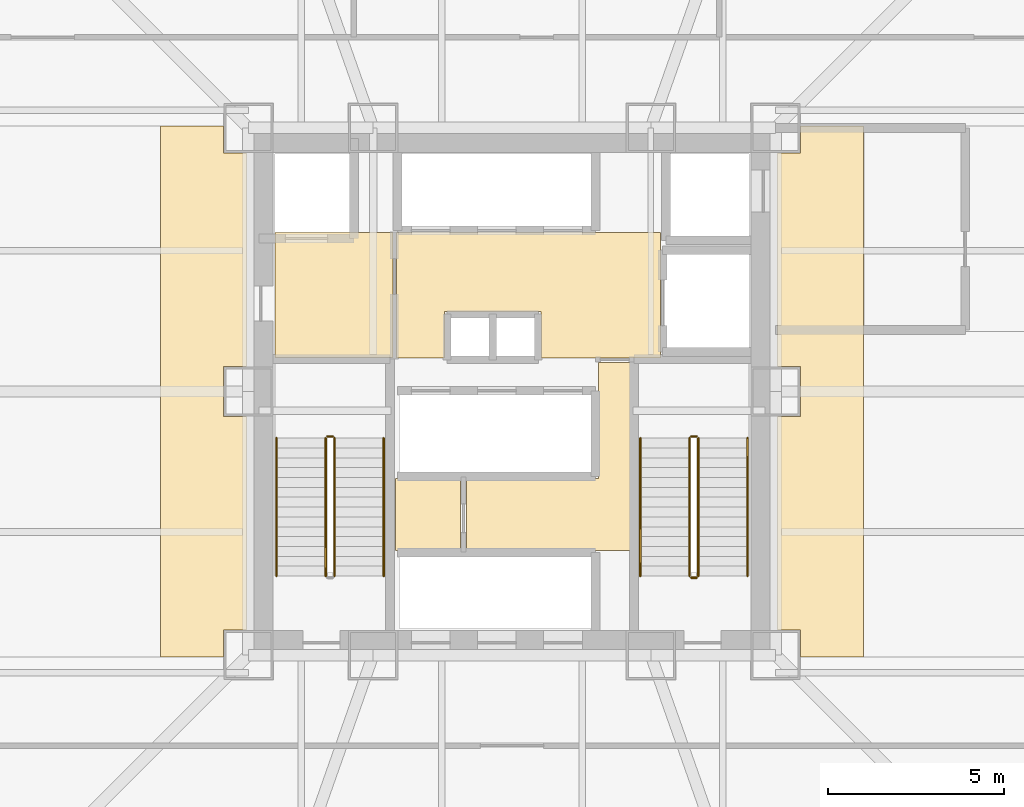
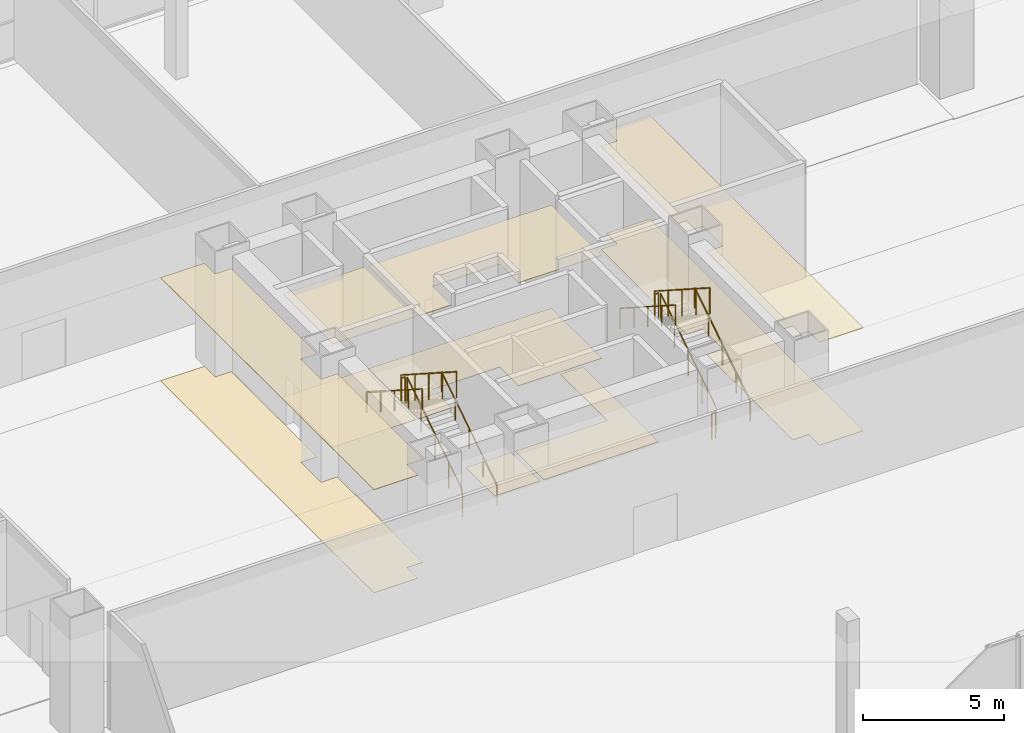
# One storey, part 29 of 36: 11 railings, 10 coverings.
"""IFC4 building model written with IfcOpenShell, lengths in metres."""

from ifc_helpers import new_model, si_unit, direction, frame, origin, origin_2d, place, context, subcontext, project, spatial, polyline, circle, outline, extrude, material, layer, layer_set, type_object, element, save


model = new_model("IFC4")

# Units and contexts
model_context = context("Model", 3, precision=1e-05, world=origin(), true_north=direction((0.0, 1.0)))
body_context = subcontext(model_context, "Body", "Model", "MODEL_VIEW")
ifc_project = project(units=[si_unit("LENGTHUNIT", "METRE"), si_unit("AREAUNIT", "SQUARE_METRE"), si_unit("VOLUMEUNIT", "CUBIC_METRE"), si_unit("PLANEANGLEUNIT", "RADIAN"), si_unit("MASSUNIT", "GRAM", prefix="KILO")], contexts=[model_context])

# Site, building, storey
site_placement = place(None, origin())
site = spatial("IfcSite", under=ifc_project, at=site_placement, CompositionType="ELEMENT")
building_placement = place(site_placement, origin())
building = spatial("IfcBuilding", under=site, at=building_placement, Name="Trevonay Congress Spire", CompositionType="ELEMENT")
storey_placement = place(building_placement, frame((0.0, 0.0, 5.39990234375)))
storey = spatial("IfcBuildingStorey", under=building, at=storey_placement, Name="L01", CompositionType="ELEMENT", Elevation=5.39990234375)

# Coverings
ifc_material_1 = material(Name="Acoustic Mineral Fibre Board", Category="gypsum")
ifc_layer_1 = layer(ifc_material_1, 0.02490234375, Name="Acoustic Mineral Fibre Board")
ifc_layer_set_1 = layer_set([ifc_layer_1], Name="Acoustic Mineral Fibre Board")
covering_type_1 = type_object("IfcCoveringType", Name="COV-CEIL-ACOUSTIC", PredefinedType="CEILING", material=ifc_layer_set_1)
covering_1_placement = place(storey_placement, frame((0.0, 0.0, 4.4501953125)))
element("IfcCovering", 1, at=covering_1_placement, inside=storey, type_object=covering_type_1, Name="L01 Firefighting Lift Lobby West acoustic suspended ceiling", PredefinedType="CEILING", context=body_context, shape_type="SweptSolid", body=[
    extrude(outline(polyline([(-6.75, 0.9599609375), (-3.3798828125, 0.9599609375), (-3.3798828125, 4.52001953125), (-6.75, 4.52001953125), (-6.75, 0.9599609375)])), origin(), (0.0, 0.0, 1.0), 0.02490234375),
])
covering_2_placement = place(storey_placement, frame((0.0, 0.0, 4.4501953125)))
element("IfcCovering", 2, at=covering_2_placement, inside=storey, type_object=covering_type_1, Name="L01 Central and High-Rise Passenger Lift Lobby acoustic suspended ceiling", PredefinedType="CEILING", context=body_context, shape_type="SweptSolid", body=[
    extrude(outline(polyline([(-3.280029296875, 0.949951171875), (-1.919921875, 0.949951171875), (-1.919921875, 2.280029296875), (0.820068359375, 2.280029296875), (0.820068359375, 0.949951171875), (4.219970703125, 0.949951171875), (4.219970703125, 4.52001953125), (-3.280029296875, 4.52001953125), (-3.280029296875, 0.949951171875)])), origin(), (0.0, 0.0, 1.0), 0.02490234375),
])
covering_3_placement = place(storey_placement, frame((0.0, 0.0, 4.4501953125)))
element("IfcCovering", 3, at=covering_3_placement, inside=storey, type_object=covering_type_1, Name="L01 L01 Grand Concourse West acoustic suspended ceiling", PredefinedType="CEILING", context=body_context, shape_type="SweptSolid", body=[
    extrude(outline(polyline([(-10.0, 7.550048828125), (-8.2099609375, 7.550048828125), (-8.2099609375, 6.7900390625), (-7.550048828125, 6.7900390625), (-7.550048828125, 0.7099609375), (-8.2099609375, 0.7099609375), (-8.2099609375, -0.7099609375), (-7.550048828125, -0.7099609375), (-7.550048828125, -6.7900390625), (-8.2099609375, -6.7900390625), (-8.2099609375, -7.550048828125), (-10.0, -7.550048828125), (-10.0, 7.550048828125)])), origin(), (0.0, 0.0, 1.0), 0.02490234375),
])
covering_4_placement = place(storey_placement, frame((0.0, 0.0, 4.4501953125)))
element("IfcCovering", 4, at=covering_4_placement, inside=storey, type_object=covering_type_1, Name="L01 L01 Grand Concourse East acoustic suspended ceiling", PredefinedType="CEILING", context=body_context, shape_type="SweptSolid", body=[
    extrude(outline(polyline([(10.0, -7.550048828125), (8.2099609375, -7.550048828125), (8.2099609375, -6.7900390625), (7.550048828125, -6.7900390625), (7.550048828125, -0.7099609375), (8.2099609375, -0.7099609375), (8.2099609375, 0.7099609375), (7.550048828125, 0.7099609375), (7.550048828125, 6.7900390625), (8.2099609375, 6.7900390625), (8.2099609375, 7.550048828125), (10.0, 7.550048828125), (10.0, -7.550048828125)])), origin(), (0.0, 0.0, 1.0), 0.02490234375),
])
ifc_material_2 = material(Name="Polished Granite Floor Tile", Category="masonry")
ifc_layer_2 = layer(ifc_material_2, 0.02001953125, Name="Polished Granite Floor Tile")
ifc_layer_set_2 = layer_set([ifc_layer_2], Name="Polished Granite Floor Tile")
covering_type_2 = type_object("IfcCoveringType", Name="COV-FLOOR-STONE", PredefinedType="FLOORING", material=ifc_layer_set_2)
covering_5_placement = place(storey_placement, origin())
element("IfcCovering", 5, at=covering_5_placement, inside=storey, type_object=covering_type_2, Name="L01 Firefighting Lift Lobby West floor finish", PredefinedType="FLOORING", context=body_context, shape_type="SweptSolid", body=[
    extrude(outline(polyline([(-6.75, 0.9599609375), (-3.3798828125, 0.9599609375), (-3.3798828125, 4.52001953125), (-6.75, 4.52001953125), (-6.75, 0.9599609375)])), origin(), (0.0, 0.0, 1.0), 0.02001953125),
])
covering_6_placement = place(storey_placement, origin())
element("IfcCovering", 6, at=covering_6_placement, inside=storey, type_object=covering_type_2, Name="L01 Central and High-Rise Passenger Lift Lobby floor finish", PredefinedType="FLOORING", context=body_context, shape_type="SweptSolid", body=[
    extrude(outline(polyline([(-3.280029296875, 0.949951171875), (-1.919921875, 0.949951171875), (-1.919921875, 2.280029296875), (0.820068359375, 2.280029296875), (0.820068359375, 0.949951171875), (4.219970703125, 0.949951171875), (4.219970703125, 4.52001953125), (-3.280029296875, 4.52001953125), (-3.280029296875, 0.949951171875)])), origin(), (0.0, 0.0, 1.0), 0.02001953125),
])
covering_7_placement = place(storey_placement, origin())
element("IfcCovering", 7, at=covering_7_placement, inside=storey, type_object=covering_type_2, Name="L01 Smoke Control Damper Room floor finish", PredefinedType="FLOORING", context=body_context, shape_type="SweptSolid", body=[
    extrude(outline(polyline([(-1.300048828125, -4.52001953125), (3.3798828125, -4.52001953125), (3.3798828125, 0.820068359375), (2.4599609375, 0.820068359375), (2.4599609375, -2.47998046875), (-1.300048828125, -2.47998046875), (-1.300048828125, -4.52001953125)])), origin(), (0.0, 0.0, 1.0), 0.02001953125),
])
covering_8_placement = place(storey_placement, origin())
element("IfcCovering", 8, at=covering_8_placement, inside=storey, type_object=covering_type_2, Name="L01 Fire Hose and Valve Room floor finish", PredefinedType="FLOORING", context=body_context, shape_type="SweptSolid", body=[
    extrude(outline(polyline([(-3.320068359375, -4.52001953125), (-1.4599609375, -4.52001953125), (-1.4599609375, -2.47998046875), (-3.320068359375, -2.47998046875), (-3.320068359375, -4.52001953125)])), origin(), (0.0, 0.0, 1.0), 0.02001953125),
])
covering_9_placement = place(storey_placement, origin())
element("IfcCovering", 9, at=covering_9_placement, inside=storey, type_object=covering_type_2, Name="L01 L01 Grand Concourse West floor finish", PredefinedType="FLOORING", context=body_context, shape_type="SweptSolid", body=[
    extrude(outline(polyline([(-10.0, 7.550048828125), (-8.2099609375, 7.550048828125), (-8.2099609375, 6.7900390625), (-7.550048828125, 6.7900390625), (-7.550048828125, 0.7099609375), (-8.2099609375, 0.7099609375), (-8.2099609375, -0.7099609375), (-7.550048828125, -0.7099609375), (-7.550048828125, -6.7900390625), (-8.2099609375, -6.7900390625), (-8.2099609375, -7.550048828125), (-10.0, -7.550048828125), (-10.0, 7.550048828125)])), origin(), (0.0, 0.0, 1.0), 0.02001953125),
])
covering_10_placement = place(storey_placement, origin())
element("IfcCovering", 10, at=covering_10_placement, inside=storey, type_object=covering_type_2, Name="L01 L01 Grand Concourse East floor finish", PredefinedType="FLOORING", context=body_context, shape_type="SweptSolid", body=[
    extrude(outline(polyline([(10.0, -7.550048828125), (8.2099609375, -7.550048828125), (8.2099609375, -6.7900390625), (7.550048828125, -6.7900390625), (7.550048828125, -0.7099609375), (8.2099609375, -0.7099609375), (8.2099609375, 0.7099609375), (7.550048828125, 0.7099609375), (7.550048828125, 6.7900390625), (8.2099609375, 6.7900390625), (8.2099609375, 7.550048828125), (10.0, 7.550048828125), (10.0, -7.550048828125)])), origin(), (0.0, 0.0, 1.0), 0.02001953125),
])

# Railings
ifc_material_3 = material(Name="Pale Anodised Aluminium EN AW-6063-T6", Category="aluminium")
railing_type_1 = type_object("IfcRailingType", Name="RAL-STAIR-GUARD-110", PredefinedType="GUARDRAIL", material=ifc_material_3)
railing_1_placement = place(storey_placement, frame((-5.050048828125, -5.25, 0.18017578125)))
element("IfcRailing", 11, at=railing_1_placement, inside=storey, type_object=railing_type_1, Name="L01 ST-1 stair guard 1", PredefinedType="GUARDRAIL", context=body_context, shape_type="SweptSolid", body=[
    extrude(circle(Radius=0.02392578125, at=origin_2d()), frame((0.0, 0.0, 1.1259765625), z_axis=(0.0, 0.841171666519, 0.540768182723), x_axis=(-1.0, 0.0, 0.0)), (0.0, 0.0, 1.0), 4.66015625),
    extrude(circle(Radius=0.02099609375, at=origin_2d()), origin(), (0.0, 0.0, 1.0), 1.101806640625),
    extrude(circle(Radius=0.02099609375, at=origin_2d()), frame((0.0, 0.97998046875, 0.6298828125)), (0.0, 0.0, 1.0), 1.101806640625),
    extrude(circle(Radius=0.02099609375, at=origin_2d()), frame((0.0, 1.9599609375, 1.260009765625)), (0.0, 0.0, 1.0), 1.101806640625),
    extrude(circle(Radius=0.02099609375, at=origin_2d()), frame((0.0, 2.93994140625, 1.89013671875)), (0.0, 0.0, 1.0), 1.101806640625),
    extrude(circle(Radius=0.02099609375, at=origin_2d()), frame((0.0, 3.919921875, 2.52001953125)), (0.0, 0.0, 1.0), 1.101806640625),
])
railing_2_placement = place(storey_placement, frame((-5.10009765625, -1.280029296875, 2.7001953125)))
element("IfcRailing", 12, at=railing_2_placement, inside=storey, type_object=railing_type_1, Name="L01 ST-1 stair guard 2", PredefinedType="GUARDRAIL", context=body_context, shape_type="SweptSolid", body=[
    extrude(circle(Radius=0.02392578125, at=origin_2d()), frame((0.0, 0.0, 1.1259765625), z_axis=(-1.0, 0.0, 0.0), x_axis=(0.0, -1.0, 0.0)), (0.0, 0.0, 1.0), 0.14990234375),
    extrude(circle(Radius=0.02099609375, at=origin_2d()), origin(), (0.0, 0.0, 1.0), 1.101806640625),
    extrude(circle(Radius=0.02099609375, at=origin_2d()), frame((-0.14990234375, 0.0, 0.0)), (0.0, 0.0, 1.0), 1.101806640625),
])
railing_3_placement = place(storey_placement, frame((-5.300048828125, -1.330078125, 2.880126953125)))
element("IfcRailing", 13, at=railing_3_placement, inside=storey, type_object=railing_type_1, Name="L01 ST-1 stair guard 3", PredefinedType="GUARDRAIL", context=body_context, shape_type="SweptSolid", body=[
    extrude(circle(Radius=0.02392578125, at=origin_2d()), frame((0.0, 0.0, 1.1259765625), z_axis=(0.0, -0.841171666519, 0.540768182723), x_axis=(1.0, 0.0, 0.0)), (0.0, 0.0, 1.0), 4.66015625),
    extrude(circle(Radius=0.02099609375, at=origin_2d()), origin(), (0.0, 0.0, 1.0), 1.101806640625),
    extrude(circle(Radius=0.02099609375, at=origin_2d()), frame((0.0, -0.97998046875, 0.6298828125)), (0.0, 0.0, 1.0), 1.101806640625),
    extrude(circle(Radius=0.02099609375, at=origin_2d()), frame((0.0, -1.9599609375, 1.260009765625)), (0.0, 0.0, 1.0), 1.101806640625),
    extrude(circle(Radius=0.02099609375, at=origin_2d()), frame((0.0, -2.93994140625, 1.89013671875)), (0.0, 0.0, 1.0), 1.101806640625),
    extrude(circle(Radius=0.02099609375, at=origin_2d()), frame((0.0, -3.919921875, 2.52001953125)), (0.0, 0.0, 1.0), 1.101806640625),
])
railing_4_placement = place(storey_placement, frame((5.300048828125, -5.25, 0.18017578125)))
element("IfcRailing", 14, at=railing_4_placement, inside=storey, type_object=railing_type_1, Name="L01 ST-2 stair guard 1", PredefinedType="GUARDRAIL", context=body_context, shape_type="SweptSolid", body=[
    extrude(circle(Radius=0.02392578125, at=origin_2d()), frame((0.0, 0.0, 1.1259765625), z_axis=(0.0, 0.841171666519, 0.540768182723), x_axis=(-1.0, 0.0, 0.0)), (0.0, 0.0, 1.0), 4.66015625),
    extrude(circle(Radius=0.02099609375, at=origin_2d()), origin(), (0.0, 0.0, 1.0), 1.101806640625),
    extrude(circle(Radius=0.02099609375, at=origin_2d()), frame((0.0, 0.97998046875, 0.6298828125)), (0.0, 0.0, 1.0), 1.101806640625),
    extrude(circle(Radius=0.02099609375, at=origin_2d()), frame((0.0, 1.9599609375, 1.260009765625)), (0.0, 0.0, 1.0), 1.101806640625),
    extrude(circle(Radius=0.02099609375, at=origin_2d()), frame((0.0, 2.93994140625, 1.89013671875)), (0.0, 0.0, 1.0), 1.101806640625),
    extrude(circle(Radius=0.02099609375, at=origin_2d()), frame((0.0, 3.919921875, 2.52001953125)), (0.0, 0.0, 1.0), 1.101806640625),
])
railing_5_placement = place(storey_placement, frame((5.25, -1.280029296875, 2.7001953125)))
element("IfcRailing", 15, at=railing_5_placement, inside=storey, type_object=railing_type_1, Name="L01 ST-2 stair guard 2", PredefinedType="GUARDRAIL", context=body_context, shape_type="SweptSolid", body=[
    extrude(circle(Radius=0.02392578125, at=origin_2d()), frame((0.0, 0.0, 1.1259765625), z_axis=(-1.0, 0.0, 0.0), x_axis=(0.0, -1.0, 0.0)), (0.0, 0.0, 1.0), 0.14990234375),
    extrude(circle(Radius=0.02099609375, at=origin_2d()), origin(), (0.0, 0.0, 1.0), 1.101806640625),
    extrude(circle(Radius=0.02099609375, at=origin_2d()), frame((-0.14990234375, 0.0, 0.0)), (0.0, 0.0, 1.0), 1.101806640625),
])
railing_6_placement = place(storey_placement, frame((5.050048828125, -1.330078125, 2.880126953125)))
element("IfcRailing", 16, at=railing_6_placement, inside=storey, type_object=railing_type_1, Name="L01 ST-2 stair guard 3", PredefinedType="GUARDRAIL", context=body_context, shape_type="SweptSolid", body=[
    extrude(circle(Radius=0.02392578125, at=origin_2d()), frame((0.0, 0.0, 1.1259765625), z_axis=(0.0, -0.841171666519, 0.540768182723), x_axis=(1.0, 0.0, 0.0)), (0.0, 0.0, 1.0), 4.66015625),
    extrude(circle(Radius=0.02099609375, at=origin_2d()), origin(), (0.0, 0.0, 1.0), 1.101806640625),
    extrude(circle(Radius=0.02099609375, at=origin_2d()), frame((0.0, -0.97998046875, 0.6298828125)), (0.0, 0.0, 1.0), 1.101806640625),
    extrude(circle(Radius=0.02099609375, at=origin_2d()), frame((0.0, -1.9599609375, 1.260009765625)), (0.0, 0.0, 1.0), 1.101806640625),
    extrude(circle(Radius=0.02099609375, at=origin_2d()), frame((0.0, -2.93994140625, 1.89013671875)), (0.0, 0.0, 1.0), 1.101806640625),
    extrude(circle(Radius=0.02099609375, at=origin_2d()), frame((0.0, -3.919921875, 2.52001953125)), (0.0, 0.0, 1.0), 1.101806640625),
])
railing_7_placement = place(storey_placement, frame((5.25, -5.300048828125, 0.0)))
element("IfcRailing", 17, at=railing_7_placement, inside=storey, type_object=railing_type_1, Name="L01 ST-2 stair guard 4", PredefinedType="GUARDRAIL", context=body_context, shape_type="SweptSolid", body=[
    extrude(circle(Radius=0.02392578125, at=origin_2d()), frame((0.0, 0.0, 1.1259765625), z_axis=(-1.0, 0.0, 0.0), x_axis=(0.0, -1.0, 0.0)), (0.0, 0.0, 1.0), 0.14990234375),
    extrude(circle(Radius=0.02099609375, at=origin_2d()), origin(), (0.0, 0.0, 1.0), 1.101806640625),
    extrude(circle(Radius=0.02099609375, at=origin_2d()), frame((-0.14990234375, 0.0, 0.0)), (0.0, 0.0, 1.0), 1.101806640625),
])
railing_type_2 = type_object("IfcRailingType", Name="RAL-STAIR-HANDRAIL", PredefinedType="HANDRAIL", material=ifc_material_3)
railing_8_placement = place(storey_placement, frame((-3.64990234375, -5.25, 0.18017578125)))
element("IfcRailing", 18, at=railing_8_placement, inside=storey, type_object=railing_type_2, Name="L01 ST-1 stair handrail 1", PredefinedType="HANDRAIL", context=body_context, shape_type="SweptSolid", body=[
    extrude(circle(Radius=0.02392578125, at=origin_2d()), frame((0.0, 0.0, 0.8759765625), z_axis=(0.0, 0.841171666519, 0.540768182723), x_axis=(-1.0, 0.0, 0.0)), (0.0, 0.0, 1.0), 4.66015625),
    extrude(circle(Radius=0.02099609375, at=origin_2d()), origin(), (0.0, 0.0, 1.0), 0.851806640625),
    extrude(circle(Radius=0.02099609375, at=origin_2d()), frame((0.0, 0.97998046875, 0.6298828125)), (0.0, 0.0, 1.0), 0.851806640625),
    extrude(circle(Radius=0.02099609375, at=origin_2d()), frame((0.0, 1.9599609375, 1.260009765625)), (0.0, 0.0, 1.0), 0.851806640625),
    extrude(circle(Radius=0.02099609375, at=origin_2d()), frame((0.0, 2.93994140625, 1.89013671875)), (0.0, 0.0, 1.0), 0.851806640625),
    extrude(circle(Radius=0.02099609375, at=origin_2d()), frame((0.0, 3.919921875, 2.52001953125)), (0.0, 0.0, 1.0), 0.851806640625),
])
railing_9_placement = place(storey_placement, frame((-6.699951171875, -1.330078125, 2.880126953125)))
element("IfcRailing", 19, at=railing_9_placement, inside=storey, type_object=railing_type_2, Name="L01 ST-1 stair handrail 2", PredefinedType="HANDRAIL", context=body_context, shape_type="SweptSolid", body=[
    extrude(circle(Radius=0.02392578125, at=origin_2d()), frame((0.0, 0.0, 0.8759765625), z_axis=(0.0, -0.841171666519, 0.540768182723), x_axis=(1.0, 0.0, 0.0)), (0.0, 0.0, 1.0), 4.66015625),
    extrude(circle(Radius=0.02099609375, at=origin_2d()), origin(), (0.0, 0.0, 1.0), 0.851806640625),
    extrude(circle(Radius=0.02099609375, at=origin_2d()), frame((0.0, -0.97998046875, 0.6298828125)), (0.0, 0.0, 1.0), 0.851806640625),
    extrude(circle(Radius=0.02099609375, at=origin_2d()), frame((0.0, -1.9599609375, 1.260009765625)), (0.0, 0.0, 1.0), 0.851806640625),
    extrude(circle(Radius=0.02099609375, at=origin_2d()), frame((0.0, -2.93994140625, 1.89013671875)), (0.0, 0.0, 1.0), 0.851806640625),
    extrude(circle(Radius=0.02099609375, at=origin_2d()), frame((0.0, -3.919921875, 2.52001953125)), (0.0, 0.0, 1.0), 0.851806640625),
])
railing_10_placement = place(storey_placement, frame((6.699951171875, -5.25, 0.18017578125)))
element("IfcRailing", 20, at=railing_10_placement, inside=storey, type_object=railing_type_2, Name="L01 ST-2 stair handrail 1", PredefinedType="HANDRAIL", context=body_context, shape_type="SweptSolid", body=[
    extrude(circle(Radius=0.02392578125, at=origin_2d()), frame((0.0, 0.0, 0.8759765625), z_axis=(0.0, 0.841171666519, 0.540768182723), x_axis=(-1.0, 0.0, 0.0)), (0.0, 0.0, 1.0), 4.66015625),
    extrude(circle(Radius=0.02099609375, at=origin_2d()), origin(), (0.0, 0.0, 1.0), 0.851806640625),
    extrude(circle(Radius=0.02099609375, at=origin_2d()), frame((0.0, 0.97998046875, 0.6298828125)), (0.0, 0.0, 1.0), 0.851806640625),
    extrude(circle(Radius=0.02099609375, at=origin_2d()), frame((0.0, 1.9599609375, 1.260009765625)), (0.0, 0.0, 1.0), 0.851806640625),
    extrude(circle(Radius=0.02099609375, at=origin_2d()), frame((0.0, 2.93994140625, 1.89013671875)), (0.0, 0.0, 1.0), 0.851806640625),
    extrude(circle(Radius=0.02099609375, at=origin_2d()), frame((0.0, 3.919921875, 2.52001953125)), (0.0, 0.0, 1.0), 0.851806640625),
])
railing_11_placement = place(storey_placement, frame((3.64990234375, -1.330078125, 2.880126953125)))
element("IfcRailing", 21, at=railing_11_placement, inside=storey, type_object=railing_type_2, Name="L01 ST-2 stair handrail 2", PredefinedType="HANDRAIL", context=body_context, shape_type="SweptSolid", body=[
    extrude(circle(Radius=0.02392578125, at=origin_2d()), frame((0.0, 0.0, 0.8759765625), z_axis=(0.0, -0.841171666519, 0.540768182723), x_axis=(1.0, 0.0, 0.0)), (0.0, 0.0, 1.0), 4.66015625),
    extrude(circle(Radius=0.02099609375, at=origin_2d()), origin(), (0.0, 0.0, 1.0), 0.851806640625),
    extrude(circle(Radius=0.02099609375, at=origin_2d()), frame((0.0, -0.97998046875, 0.6298828125)), (0.0, 0.0, 1.0), 0.851806640625),
    extrude(circle(Radius=0.02099609375, at=origin_2d()), frame((0.0, -1.9599609375, 1.260009765625)), (0.0, 0.0, 1.0), 0.851806640625),
    extrude(circle(Radius=0.02099609375, at=origin_2d()), frame((0.0, -2.93994140625, 1.89013671875)), (0.0, 0.0, 1.0), 0.851806640625),
    extrude(circle(Radius=0.02099609375, at=origin_2d()), frame((0.0, -3.919921875, 2.52001953125)), (0.0, 0.0, 1.0), 0.851806640625),
])

save(model, "model.ifc")
